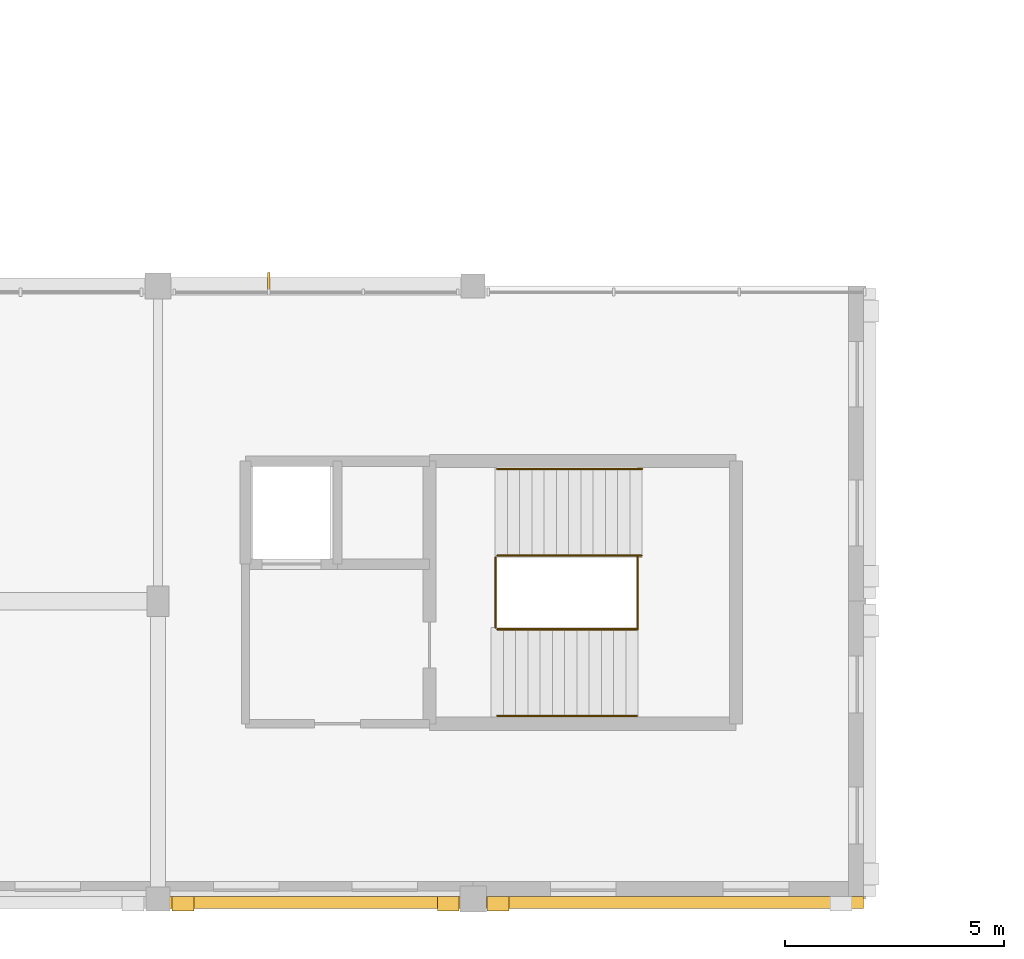
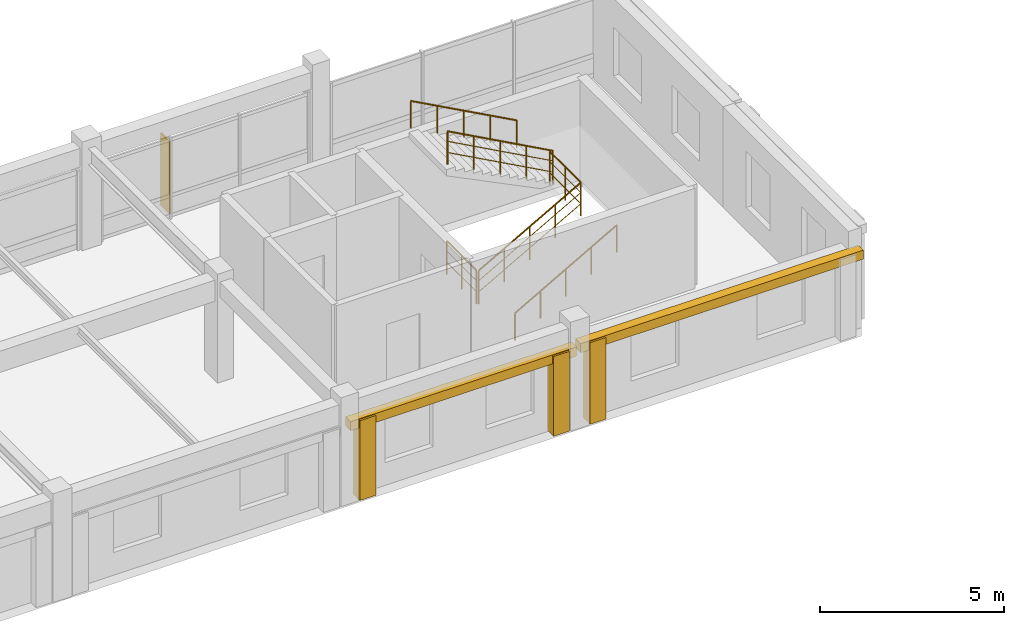
# One storey, part 61 of 74: 6 railings, 5 coverings, 1 shading device.
"""IFC4 building model written with IfcOpenShell, lengths in metres."""

from ifc_helpers import new_model, si_unit, direction, frame, frame_2d, origin, origin_2d, place, context, subcontext, project, spatial, rectangle, circle, extrude, material, layer, layer_set, type_object, element, save


model = new_model("IFC4")

# Units and contexts
model_context = context("Model", 3, precision=1e-05, world=origin(), true_north=direction((0.0, 1.0)))
body_context = subcontext(model_context, "Body", "Model", "MODEL_VIEW")
ifc_project = project(units=[si_unit("LENGTHUNIT", "METRE"), si_unit("AREAUNIT", "SQUARE_METRE"), si_unit("VOLUMEUNIT", "CUBIC_METRE"), si_unit("PLANEANGLEUNIT", "RADIAN"), si_unit("MASSUNIT", "GRAM", prefix="KILO")], contexts=[model_context])

# Site, building, storey
site_placement = place(None, origin())
site = spatial("IfcSite", under=ifc_project, at=site_placement, CompositionType="ELEMENT")
building_placement = place(site_placement, origin())
building = spatial("IfcBuilding", under=site, at=building_placement, Name="Clarverna Civic Hall", CompositionType="ELEMENT")
storey_placement = place(building_placement, frame((0.0, 0.0, 9.60009765625)))
storey = spatial("IfcBuildingStorey", under=building, at=storey_placement, Name="L02", CompositionType="ELEMENT", Elevation=9.60009765625)

# Coverings
ifc_material_1 = material(Name="Montjuic Buff Limestone Ashlar Cladding", Category="masonry")
ifc_layer_1 = layer(ifc_material_1, 0.070068359375)
ifc_layer_set_1 = layer_set([ifc_layer_1], Name="Montjuic Buff Limestone Ashlar Cladding")
covering_type = type_object("IfcCoveringType", Name="CV-CL2", PredefinedType="CLADDING", material=ifc_layer_set_1)
covering_1_placement = place(storey_placement, frame((66.514892578125, -0.080078125, 2.419921875), z_axis=(0.0, 0.0, 1.0), x_axis=(-1.0, 0.0, 0.0)))
element("IfcCovering", 1, at=covering_1_placement, inside=storey, type_object=covering_type, Name="CV-CL2-506", PredefinedType="CLADDING", context=body_context, shape_type="SweptSolid", body=[
    extrude(rectangle(XDim=8.85498046875, YDim=0.280029296875, at=frame_2d((4.427490234375, 0.0))), origin(), (0.0, 0.0, 1.0), 0.300048828125),
])
covering_2_placement = place(storey_placement, frame((58.419921875, -0.110107421875, 0.0), z_axis=(0.0, 0.0, 1.0), x_axis=(-1.0, 0.0, 0.0)))
element("IfcCovering", 2, at=covering_2_placement, inside=storey, type_object=covering_type, Name="CV-CL2-508", PredefinedType="CLADDING", context=body_context, shape_type="SweptSolid", body=[
    extrude(rectangle(XDim=0.5, YDim=0.340087890625, at=frame_2d((0.25, 0.0))), origin(), (0.0, 0.0, 1.0), 2.699951171875),
])
covering_3_placement = place(storey_placement, frame((57.5400390625, -0.080078125, 2.35986328125), z_axis=(0.0, 0.0, 1.0), x_axis=(-1.0, 0.0, 0.0)))
element("IfcCovering", 3, at=covering_3_placement, inside=storey, type_object=covering_type, Name="CV-CL2-509", PredefinedType="CLADDING", context=body_context, shape_type="SweptSolid", body=[
    extrude(rectangle(XDim=7.080078125, YDim=0.280029296875, at=frame_2d((3.5400390625, 0.0))), origin(), (0.0, 0.0, 1.0), 0.300048828125),
])
for number, where, z_axis, x_axis, name in (
    (4, (57.280029296875, -0.110107421875, 0.0), (0.0, 0.0, 1.0), (-1.0, 0.0, 0.0), "CV-CL2-510"),
    (5, (51.219970703125, -0.110107421875, 0.0), (0.0, 0.0, 1.0), (-1.0, 0.0, 0.0), "CV-CL2-511"),
):
    element("IfcCovering", number, at=place(storey_placement, frame(where, z_axis=z_axis, x_axis=x_axis)), inside=storey, type_object=covering_type, Name=name, PredefinedType="CLADDING", context=body_context, shape_type="SweptSolid", body=[
        extrude(rectangle(XDim=0.5, YDim=0.340087890625, at=frame_2d((0.25, 0.0))), origin(), (0.0, 0.0, 1.0), 2.639892578125),
    ])

# Railings
ifc_material_2 = material(Name="Anodised Bronze Architectural Balustrade")
railing_type_1 = type_object("IfcRailingType", Name="GR-02", PredefinedType="BALUSTRADE", material=ifc_material_2)
railing_1_placement = place(storey_placement, frame((58.14990234375, 6.159912109375, 0.0)))
element("IfcRailing", 6, at=railing_1_placement, inside=storey, type_object=railing_type_1, Name="GR-02-131", PredefinedType="BALUSTRADE", context=body_context, shape_type="SweptSolid", body=[
    extrude(circle(Radius=0.02392578125, at=origin_2d()), frame((0.0, 0.0, 1.09619140625), z_axis=(0.87193006163, 0.0, 0.489630439849), x_axis=(0.0, 1.0, 0.0)), (0.0, 0.0, 1.0), 3.67578125),
    extrude(circle(Radius=0.011962890625, at=origin_2d()), frame((0.0, 0.0, 0.39208984375), z_axis=(0.87193006163, 0.0, 0.489630439849), x_axis=(0.0, 1.0, 0.0)), (0.0, 0.0, 1.0), 3.67578125),
    extrude(circle(Radius=0.011962890625, at=origin_2d()), frame((0.0, 0.0, 0.76171875), z_axis=(0.87193006163, 0.0, 0.489630439849), x_axis=(0.0, 1.0, 0.0)), (0.0, 0.0, 1.0), 3.67578125),
    extrude(circle(Radius=0.02099609375, at=origin_2d()), origin(), (0.0, 0.0, 1.0), 1.072021484375),
    extrude(circle(Radius=0.02099609375, at=origin_2d()), frame((0.80126953125, 0.0, 0.449951171875)), (0.0, 0.0, 1.0), 1.072021484375),
    extrude(circle(Radius=0.02099609375, at=origin_2d()), frame((1.6025390625, 0.0, 0.89990234375)), (0.0, 0.0, 1.0), 1.072021484375),
    extrude(circle(Radius=0.02099609375, at=origin_2d()), frame((2.40380859375, 0.0, 1.349853515625)), (0.0, 0.0, 1.0), 1.072021484375),
    extrude(circle(Radius=0.02099609375, at=origin_2d()), frame((3.205078125, 0.0, 1.7998046875)), (0.0, 0.0, 1.0), 1.072021484375),
])
railing_2_placement = place(storey_placement, frame((61.35498046875, 6.159912109375, 1.7998046875)))
element("IfcRailing", 7, at=railing_2_placement, inside=storey, type_object=railing_type_1, Name="GR-02-132", PredefinedType="BALUSTRADE", context=body_context, shape_type="SweptSolid", body=[
    extrude(circle(Radius=0.02392578125, at=origin_2d()), frame((0.0, 0.0, 1.09619140625), z_axis=(0.0, 1.0, 0.0), x_axis=(-1.0, 0.0, 0.0)), (0.0, 0.0, 1.0), 1.68017578125),
    extrude(circle(Radius=0.011962890625, at=origin_2d()), frame((0.0, 0.0, 0.39208984375), z_axis=(0.0, 1.0, 0.0), x_axis=(-1.0, 0.0, 0.0)), (0.0, 0.0, 1.0), 1.68017578125),
    extrude(circle(Radius=0.011962890625, at=origin_2d()), frame((0.0, 0.0, 0.76171875), z_axis=(0.0, 1.0, 0.0), x_axis=(-1.0, 0.0, 0.0)), (0.0, 0.0, 1.0), 1.68017578125),
    extrude(circle(Radius=0.02099609375, at=origin_2d()), origin(), (0.0, 0.0, 1.0), 1.072021484375),
    extrude(circle(Radius=0.02099609375, at=origin_2d()), frame((0.0, 0.840087890625, 0.0)), (0.0, 0.0, 1.0), 1.072021484375),
    extrude(circle(Radius=0.02099609375, at=origin_2d()), frame((0.0, 1.68017578125, 0.0)), (0.0, 0.0, 1.0), 1.072021484375),
])
railing_3_placement = place(storey_placement, frame((61.445068359375, 7.840087890625, 1.7998046875)))
element("IfcRailing", 8, at=railing_3_placement, inside=storey, type_object=railing_type_1, Name="GR-02-133", PredefinedType="BALUSTRADE", context=body_context, shape_type="SweptSolid", body=[
    extrude(circle(Radius=0.02392578125, at=origin_2d()), frame((0.0, 0.0, 1.09619140625), z_axis=(-0.877594727342, 0.0, 0.479403269222), x_axis=(0.0, -1.0, 0.0)), (0.0, 0.0, 1.0), 3.7548828125),
    extrude(circle(Radius=0.011962890625, at=origin_2d()), frame((0.0, 0.0, 0.39208984375), z_axis=(-0.877594727342, 0.0, 0.479403269222), x_axis=(0.0, -1.0, 0.0)), (0.0, 0.0, 1.0), 3.7548828125),
    extrude(circle(Radius=0.011962890625, at=origin_2d()), frame((0.0, 0.0, 0.76171875), z_axis=(-0.877594727342, 0.0, 0.479403269222), x_axis=(0.0, -1.0, 0.0)), (0.0, 0.0, 1.0), 3.7548828125),
    extrude(circle(Radius=0.02099609375, at=origin_2d()), origin(), (0.0, 0.0, 1.0), 1.072021484375),
    extrude(circle(Radius=0.02099609375, at=origin_2d()), frame((-0.82373046875, 0.0, 0.449951171875)), (0.0, 0.0, 1.0), 1.072021484375),
    extrude(circle(Radius=0.02099609375, at=origin_2d()), frame((-1.6474609375, 0.0, 0.89990234375)), (0.0, 0.0, 1.0), 1.072021484375),
    extrude(circle(Radius=0.02099609375, at=origin_2d()), frame((-2.471435546875, 0.0, 1.35009765625)), (0.0, 0.0, 1.0), 1.072021484375),
    extrude(circle(Radius=0.02099609375, at=origin_2d()), frame((-3.295166015625, 0.0, 1.800048828125)), (0.0, 0.0, 1.0), 1.072021484375),
])
railing_4_placement = place(storey_placement, frame((58.110107421875, 6.199951171875, 0.0)))
element("IfcRailing", 9, at=railing_4_placement, inside=storey, type_object=railing_type_1, Name="GR-02-134", PredefinedType="BALUSTRADE", context=body_context, shape_type="SweptSolid", body=[
    extrude(circle(Radius=0.02392578125, at=origin_2d()), frame((0.0, 0.0, 1.09619140625), z_axis=(0.0, 1.0, 0.0), x_axis=(-1.0, 0.0, 0.0)), (0.0, 0.0, 1.0), 1.60009765625),
    extrude(circle(Radius=0.011962890625, at=origin_2d()), frame((0.0, 0.0, 0.39208984375), z_axis=(0.0, 1.0, 0.0), x_axis=(-1.0, 0.0, 0.0)), (0.0, 0.0, 1.0), 1.60009765625),
    extrude(circle(Radius=0.011962890625, at=origin_2d()), frame((0.0, 0.0, 0.76171875), z_axis=(0.0, 1.0, 0.0), x_axis=(-1.0, 0.0, 0.0)), (0.0, 0.0, 1.0), 1.60009765625),
    extrude(circle(Radius=0.02099609375, at=origin_2d()), origin(), (0.0, 0.0, 1.0), 1.072021484375),
    extrude(circle(Radius=0.02099609375, at=origin_2d()), frame((0.0, 0.800048828125, 0.0)), (0.0, 0.0, 1.0), 1.072021484375),
    extrude(circle(Radius=0.02099609375, at=origin_2d()), frame((0.0, 1.60009765625, 0.0)), (0.0, 0.0, 1.0), 1.072021484375),
])
ifc_material_3 = material(Name="Anodised Bronze Continuous Handrail")
railing_type_2 = type_object("IfcRailingType", Name="HR-01", PredefinedType="HANDRAIL", material=ifc_material_3)
railing_5_placement = place(storey_placement, frame((58.14990234375, 4.179931640625, 0.0)))
element("IfcRailing", 10, at=railing_5_placement, inside=storey, type_object=railing_type_2, Name="HR-01-065", PredefinedType="HANDRAIL", context=body_context, shape_type="SweptSolid", body=[
    extrude(circle(Radius=0.02392578125, at=origin_2d()), frame((0.0, 0.0, 0.89599609375), z_axis=(0.870953600603, 0.0, 0.491365266982), x_axis=(0.0, 1.0, 0.0)), (0.0, 0.0, 1.0), 3.662841796875),
    extrude(circle(Radius=0.02099609375, at=origin_2d()), origin(), (0.0, 0.0, 1.0), 0.871826171875),
    extrude(circle(Radius=0.02099609375, at=origin_2d()), frame((0.797607421875, 0.0, 0.449951171875)), (0.0, 0.0, 1.0), 0.871826171875),
    extrude(circle(Radius=0.02099609375, at=origin_2d()), frame((1.59521484375, 0.0, 0.89990234375)), (0.0, 0.0, 1.0), 0.871826171875),
    extrude(circle(Radius=0.02099609375, at=origin_2d()), frame((2.392578125, 0.0, 1.349853515625)), (0.0, 0.0, 1.0), 0.871826171875),
    extrude(circle(Radius=0.02099609375, at=origin_2d()), frame((3.190185546875, 0.0, 1.7998046875)), (0.0, 0.0, 1.0), 0.871826171875),
])
railing_6_placement = place(storey_placement, frame((61.4599609375, 9.820068359375, 1.7998046875)))
element("IfcRailing", 11, at=railing_6_placement, inside=storey, type_object=railing_type_2, Name="HR-01-066", PredefinedType="HANDRAIL", context=body_context, shape_type="SweptSolid", body=[
    extrude(circle(Radius=0.02392578125, at=origin_2d()), frame((0.0, 0.0, 0.89599609375), z_axis=(-0.878501555178, 0.0, 0.477739487116), x_axis=(0.0, -1.0, 0.0)), (0.0, 0.0, 1.0), 3.767822265625),
    extrude(circle(Radius=0.02099609375, at=origin_2d()), origin(), (0.0, 0.0, 1.0), 0.871826171875),
    extrude(circle(Radius=0.02099609375, at=origin_2d()), frame((-0.82763671875, 0.0, 0.449951171875)), (0.0, 0.0, 1.0), 0.871826171875),
    extrude(circle(Radius=0.02099609375, at=origin_2d()), frame((-1.655029296875, 0.0, 0.89990234375)), (0.0, 0.0, 1.0), 0.871826171875),
    extrude(circle(Radius=0.02099609375, at=origin_2d()), frame((-2.482421875, 0.0, 1.35009765625)), (0.0, 0.0, 1.0), 0.871826171875),
    extrude(circle(Radius=0.02099609375, at=origin_2d()), frame((-3.31005859375, 0.0, 1.800048828125)), (0.0, 0.0, 1.0), 0.871826171875),
])

# Shading device
ifc_material_4 = material(Name="Anodised Bronze Architectural Solar Fin", Category="aluminium")
ifc_layer_2 = layer(ifc_material_4, 0.054931640625)
ifc_layer_set_2 = layer_set([ifc_layer_2], Name="Anodised Bronze Architectural Solar Fin")
shading_device_type = type_object("IfcShadingDeviceType", Name="SD-FN1", PredefinedType="USERDEFINED", material=ifc_layer_set_2)
shading_device_placement = place(storey_placement, frame((52.9326171875, 13.830078125, 0.14990234375), z_axis=(0.0, 0.0, 1.0), x_axis=(0.0, 1.0, 0.0)))
element("IfcShadingDevice", 12, at=shading_device_placement, inside=storey, type_object=shading_device_type, Name="SD-FN1-030", ObjectType="FIN", PredefinedType="USERDEFINED", context=body_context, shape_type="SweptSolid", body=[
    extrude(rectangle(XDim=0.47998046875, YDim=0.054931640625, at=frame_2d((0.239990234375, 0.0))), origin(), (0.0, 0.0, 1.0), 2.39990234375),
])

save(model, "model.ifc")
